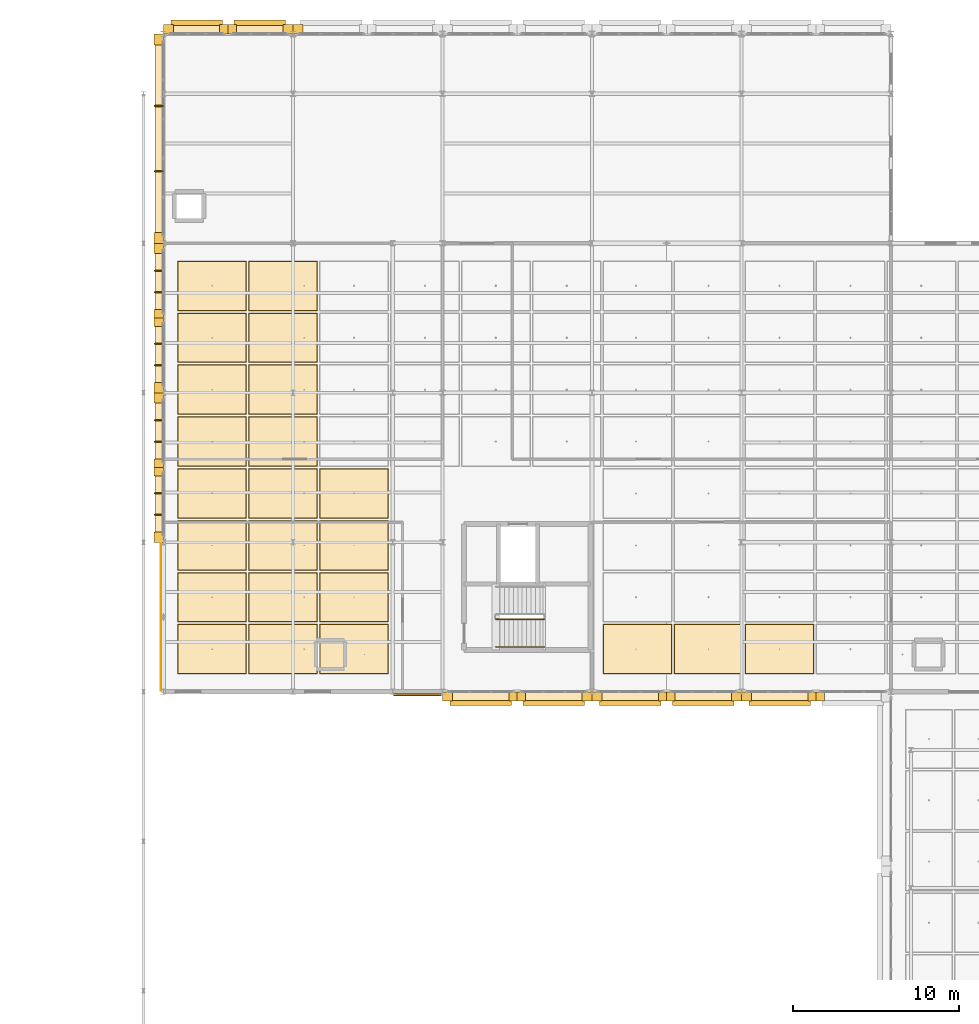
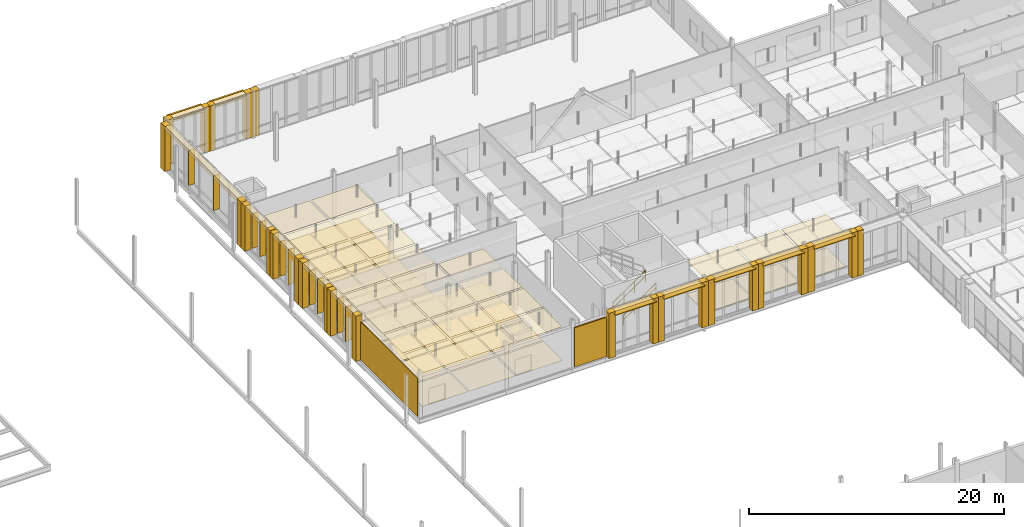
# One storey, part 123 of 130: 86 coverings, 17 shading devices, 2 railings.
"""IFC4 building model written with IfcOpenShell, lengths in metres."""

import ifcopenshell
import ifcopenshell.guid

model = None  # the IFC model being written
_history = None  # IfcOwnerHistory: only IFC2X3 demands one
_inside = {}  # id of a spatial element -> (the spatial element, [elements in it])
_under = {}  # id of a project, library or spatial element -> (it, [spatial elements below it])
_declared = {}  # id of a project -> (the project, [libraries it declares])
_typed = {}  # id of a type object -> (the type object, [elements of that type])
_made_of = {}  # id of a material, layer set ... -> (it, [elements and type objects made of it])


def new_model(schema):
    """Start an empty IFC model of exactly this schema.

    Asked for "IFC4X3", IfcOpenShell would pick the latest addendum, in which some entities
    have other attributes; the version numbers below select the first issue.
    IFC2X3 requires an IfcOwnerHistory on every rooted entity: one is made here for all.
    """
    global model, _history
    if schema == "IFC4X3":
        model = ifcopenshell.file(schema_version=(4, 3, 0, 0))
    else:
        model = ifcopenshell.file(schema=schema)
    _inside.clear()
    _under.clear()
    _declared.clear()
    _typed.clear()
    _made_of.clear()
    _history = None
    if model.schema == "IFC2X3":
        org = make("IfcOrganization", Name="unknown")
        user = make(
            "IfcPersonAndOrganization",
            ThePerson=make("IfcPerson", FamilyName="unknown"),
            TheOrganization=org,
        )
        app = make(
            "IfcApplication",
            ApplicationDeveloper=org,
            Version="unknown",
            ApplicationFullName="unknown",
            ApplicationIdentifier="unknown",
        )
        _history = make(
            "IfcOwnerHistory",
            OwningUser=user,
            OwningApplication=app,
            ChangeAction="ADDED",
            CreationDate=0,
        )
    return model


def make(cls, **values):
    """One entity of the class cls with the attributes given. An attribute that is None is left unset."""
    return model.create_entity(
        cls, **{name: value for name, value in values.items() if value is not None}
    )


def rooted(cls, **values):
    """An entity with a GlobalId (a new one), such as an element, a storey or a relation."""
    return make(cls, GlobalId=ifcopenshell.guid.new(), OwnerHistory=_history, **values)


def si_unit(unit_type, name, prefix=None):
    """IfcSIUnit, for example si_unit("LENGTHUNIT", "METRE", prefix="MILLI")."""
    return make("IfcSIUnit", UnitType=unit_type, Prefix=prefix, Name=name)


def assignment(units):
    """IfcUnitAssignment: the units of a project."""
    return None if units is None else make("IfcUnitAssignment", Units=units)


def point(xyz):
    """IfcCartesianPoint."""
    return None if xyz is None else make("IfcCartesianPoint", Coordinates=xyz)


def direction(xyz):
    """IfcDirection."""
    return None if xyz is None else make("IfcDirection", DirectionRatios=xyz)


def frame(location, z_axis=None, x_axis=None):
    """IfcAxis2Placement3D, a coordinate frame: its origin and axes. An axis left out is left unset."""
    return make(
        "IfcAxis2Placement3D",
        Location=point(location),
        Axis=direction(z_axis),
        RefDirection=direction(x_axis),
    )


def frame_2d(location, x_axis=None):
    """IfcAxis2Placement2D, a coordinate frame in the plane: its origin and x axis."""
    return make(
        "IfcAxis2Placement2D", Location=point(location), RefDirection=direction(x_axis)
    )


def origin():
    """The frame at (0, 0, 0) with its axes left unset."""
    return frame((0.0, 0.0, 0.0))


def origin_2d():
    """The frame at (0, 0) in the plane with its x axis left unset."""
    return frame_2d((0.0, 0.0))


def place(relative_to, where):
    """IfcLocalPlacement: puts the frame where relative to a parent placement (None: the world)."""
    return make(
        "IfcLocalPlacement", PlacementRelTo=relative_to, RelativePlacement=where
    )


def context(
    kind, dimensions, precision=None, world=None, true_north=None, identifier=None
):
    """IfcGeometricRepresentationContext, for example the 3D "Model" context."""
    return make(
        "IfcGeometricRepresentationContext",
        ContextIdentifier=identifier,
        ContextType=kind,
        CoordinateSpaceDimension=dimensions,
        Precision=precision,
        WorldCoordinateSystem=world,
        TrueNorth=true_north,
    )


def subcontext(parent, identifier, kind, view, scale=None):
    """IfcGeometricRepresentationSubContext, for example "Body" below "Model"."""
    return make(
        "IfcGeometricRepresentationSubContext",
        ContextIdentifier=identifier,
        ContextType=kind,
        ParentContext=parent,
        TargetScale=scale,
        TargetView=view,
    )


def project(units=None, contexts=None):
    """IfcProject with its units and contexts."""
    return rooted(
        "IfcProject",
        Name="project",
        RepresentationContexts=contexts,
        UnitsInContext=assignment(units),
    )


def spatial(cls, under=None, at=None, **own):
    """A site, building, storey or space (cls), placed at a placement, below another one or the project."""
    s = rooted(cls, ObjectPlacement=at, **own)
    if under is not None:
        _under.setdefault(under.id(), (under, []))[1].append(s)
    return s


def profile(cls, at=None, kind="AREA", **sizes):
    """A parametric profile (cls). Its sizes go by their IFC names, for example OverallWidth=200.0."""
    return make(cls, ProfileType=kind, Position=at, **sizes)


def rectangle(**sizes):
    """IfcRectangleProfileDef."""
    return profile("IfcRectangleProfileDef", **sizes)


def circle(**sizes):
    """IfcCircleProfileDef."""
    return profile("IfcCircleProfileDef", **sizes)


def extrude(swept, where, along, depth):
    """IfcExtrudedAreaSolid: the profile swept, set in the frame where, extruded along a direction by depth."""
    return make(
        "IfcExtrudedAreaSolid",
        SweptArea=swept,
        Position=where,
        ExtrudedDirection=direction(along),
        Depth=depth,
    )


def shape(context_of_items, identifier, shape_type, items):
    """IfcShapeRepresentation: the items that make up one representation, for example the "Body"."""
    return make(
        "IfcShapeRepresentation",
        ContextOfItems=context_of_items,
        RepresentationIdentifier=identifier,
        RepresentationType=shape_type,
        Items=items,
    )


def material(Name=None, Category=None):
    """IfcMaterial."""
    return make("IfcMaterial", Name=Name, Category=Category)


def layer(
    of_material, thickness, ventilated=None, Name=None, Category=None, Priority=None
):
    """IfcMaterialLayer: one layer of a wall or slab, of a material (None: an air gap)."""
    return make(
        "IfcMaterialLayer",
        Material=of_material,
        LayerThickness=thickness,
        IsVentilated=ventilated,
        Name=Name,
        Category=Category,
        Priority=Priority,
    )


def layer_set(layers, Name=None):
    """IfcMaterialLayerSet."""
    return make("IfcMaterialLayerSet", MaterialLayers=layers, LayerSetName=Name)


def made_of(thing, what):
    """Note that an element or type object is made of a material, layer set ...; save() writes the relation."""
    if what is not None:
        _made_of.setdefault(what.id(), (what, []))[1].append(thing)
    return thing


def type_object(cls, material=None, **own):
    """A type object (cls), such as IfcWallType, which elements share."""
    return made_of(rooted(cls, **own), material)


def element(
    cls,
    number,
    at=None,
    inside=None,
    cuts=None,
    type_object=None,
    material=None,
    context=None,
    identifier="Body",
    shape_type=None,
    held_by="IfcProductDefinitionShape",
    body=None,
    shapes=None,
    **own,
):
    """One element of the class cls, such as IfcWall. Its Tag is "e" and its number.

    at: its placement. inside: the storey or other place that contains it. cuts: it is an
    opening in that element (IfcRelVoidsElement). A single representation is given by context,
    identifier, shape_type and body (its items); several are given by shapes. held_by: the class
    of the entity that holds the representations. save() writes the other relations.
    """
    e = rooted(cls, Tag="e%d" % number, ObjectPlacement=at, **own)
    if body is not None:
        shapes = [shape(context, identifier, shape_type, body)]
    if shapes is not None:
        e.Representation = make(held_by, Representations=shapes)
    if inside is not None:
        _inside.setdefault(inside.id(), (inside, []))[1].append(e)
    if cuts is not None:
        rooted(
            "IfcRelVoidsElement", RelatingBuildingElement=cuts, RelatedOpeningElement=e
        )
    if type_object is not None:
        _typed.setdefault(type_object.id(), (type_object, []))[1].append(e)
    return made_of(e, material)


def aggregate(whole, parts):
    """IfcRelAggregates: a whole, such as a stair, and the parts it consists of."""
    return rooted("IfcRelAggregates", RelatingObject=whole, RelatedObjects=parts)


def save(model, path):
    """Write the relations noted so far, then the file.

    IfcRelAggregates (storeys below a building ...), IfcRelContainedInSpatialStructure (elements
    in a storey), IfcRelDefinesByType, IfcRelAssociatesMaterial and IfcRelDeclares: one each for
    every whole, place, type object, material and project.
    """
    for whole, parts in _under.values():
        aggregate(whole, parts)
    for where, things in _inside.values():
        rooted(
            "IfcRelContainedInSpatialStructure",
            RelatedElements=things,
            RelatingStructure=where,
        )
    for kind, things in _typed.values():
        rooted("IfcRelDefinesByType", RelatedObjects=things, RelatingType=kind)
    for what, things in _made_of.values():
        rooted("IfcRelAssociatesMaterial", RelatedObjects=things, RelatingMaterial=what)
    for by, libraries in _declared.values():
        rooted("IfcRelDeclares", RelatingContext=by, RelatedDefinitions=libraries)
    model.write(path)


model = new_model("IFC4")

# Units and contexts
model_context = context("Model", 3, precision=1e-05, world=origin(), true_north=direction((0.0, 1.0)))
body_context = subcontext(model_context, "Body", "Model", "MODEL_VIEW")
ifc_project = project(units=[si_unit("LENGTHUNIT", "METRE"), si_unit("AREAUNIT", "SQUARE_METRE"), si_unit("VOLUMEUNIT", "CUBIC_METRE"), si_unit("PLANEANGLEUNIT", "RADIAN"), si_unit("MASSUNIT", "GRAM", prefix="KILO"), si_unit("THERMODYNAMICTEMPERATUREUNIT", "KELVIN"), si_unit("POWERUNIT", "WATT")], contexts=[model_context])

# Site, building, storey
site_placement = place(None, origin())
site = spatial("IfcSite", under=ifc_project, at=site_placement, CompositionType="ELEMENT")
building_placement = place(site_placement, origin())
building = spatial("IfcBuilding", under=site, at=building_placement, Name="Tallowbark Science Centre", CompositionType="ELEMENT")
storey_placement = place(building_placement, frame((0.0, 0.0, 5.39990234375)))
storey = spatial("IfcBuildingStorey", under=building, at=storey_placement, Name="L01", CompositionType="ELEMENT", Elevation=5.39990234375)

# Coverings
ifc_material_1 = material(Name="Cleanable Vinyl-Faced Laboratory Ceiling Tile")
ifc_layer_1 = layer(ifc_material_1, 0.01611328125)
ifc_layer_set_1 = layer_set([ifc_layer_1], Name="Cleanable Vinyl-Faced Laboratory Ceiling Tile")
covering_type_1 = type_object("IfcCoveringType", Name="CLG-LAB-16", PredefinedType="CEILING", material=ifc_layer_set_1)
for number, where, z_axis, x_axis, name in (
    (1, (58.134521484375, 74.5625, 3.192138671875), (0.0, 0.0, 1.0), (1.0, 0.0, 0.0), "Suspended Ceiling L01-595"),
    (2, (58.134521484375, 77.6875, 3.192138671875), (0.0, 0.0, 1.0), (1.0, 0.0, 0.0), "Suspended Ceiling L01-596"),
    (3, (58.134521484375, 80.8125, 3.192138671875), (0.0, 0.0, 1.0), (1.0, 0.0, 0.0), "Suspended Ceiling L01-597"),
    (4, (58.134521484375, 83.9375, 3.192138671875), (0.0, 0.0, 1.0), (1.0, 0.0, 0.0), "Suspended Ceiling L01-598"),
    (5, (58.134521484375, 87.0625, 3.192138671875), (0.0, 0.0, 1.0), (1.0, 0.0, 0.0), "Suspended Ceiling L01-599"),
    (6, (58.134521484375, 90.1875, 3.192138671875), (0.0, 0.0, 1.0), (1.0, 0.0, 0.0), "Suspended Ceiling L01-600"),
    (7, (58.134521484375, 93.3125, 3.192138671875), (0.0, 0.0, 1.0), (1.0, 0.0, 0.0), "Suspended Ceiling L01-601"),
    (8, (58.134521484375, 96.4375, 3.192138671875), (0.0, 0.0, 1.0), (1.0, 0.0, 0.0), "Suspended Ceiling L01-602"),
    (9, (62.40380859375, 74.5625, 3.192138671875), (0.0, 0.0, 1.0), (1.0, 0.0, 0.0), "Suspended Ceiling L01-603"),
    (10, (62.40380859375, 77.6875, 3.192138671875), (0.0, 0.0, 1.0), (1.0, 0.0, 0.0), "Suspended Ceiling L01-604"),
    (11, (62.40380859375, 80.8125, 3.192138671875), (0.0, 0.0, 1.0), (1.0, 0.0, 0.0), "Suspended Ceiling L01-605"),
    (12, (62.40380859375, 83.9375, 3.192138671875), (0.0, 0.0, 1.0), (1.0, 0.0, 0.0), "Suspended Ceiling L01-606"),
    (13, (62.40380859375, 87.0625, 3.192138671875), (0.0, 0.0, 1.0), (1.0, 0.0, 0.0), "Suspended Ceiling L01-607"),
    (14, (62.40380859375, 90.1875, 3.192138671875), (0.0, 0.0, 1.0), (1.0, 0.0, 0.0), "Suspended Ceiling L01-608"),
    (15, (62.40380859375, 93.3125, 3.192138671875), (0.0, 0.0, 1.0), (1.0, 0.0, 0.0), "Suspended Ceiling L01-609"),
    (16, (62.40380859375, 96.4375, 3.192138671875), (0.0, 0.0, 1.0), (1.0, 0.0, 0.0), "Suspended Ceiling L01-610"),
    (17, (66.673095703125, 74.5625, 3.192138671875), (0.0, 0.0, 1.0), (1.0, 0.0, 0.0), "Suspended Ceiling L01-611"),
    (18, (66.673095703125, 77.6875, 3.192138671875), (0.0, 0.0, 1.0), (1.0, 0.0, 0.0), "Suspended Ceiling L01-612"),
    (19, (66.673095703125, 80.8125, 3.192138671875), (0.0, 0.0, 1.0), (1.0, 0.0, 0.0), "Suspended Ceiling L01-613"),
    (20, (66.673095703125, 83.9375, 3.192138671875), (0.0, 0.0, 1.0), (1.0, 0.0, 0.0), "Suspended Ceiling L01-614"),
    (21, (83.75, 74.5625, 3.192138671875), (0.0, 0.0, 1.0), (1.0, 0.0, 0.0), "Suspended Ceiling L01-631"),
    (22, (88.019287109375, 74.5625, 3.192138671875), (0.0, 0.0, 1.0), (1.0, 0.0, 0.0), "Suspended Ceiling L01-639"),
    (23, (92.28857421875, 74.5625, 3.192138671875), (0.0, 0.0, 1.0), (1.0, 0.0, 0.0), "Suspended Ceiling L01-647"),
):
    element("IfcCovering", number, at=place(storey_placement, frame(where, z_axis=z_axis, x_axis=x_axis)), inside=storey, type_object=covering_type_1, Name=name, PredefinedType="CEILING", context=body_context, shape_type="SweptSolid", body=[
        extrude(rectangle(XDim=4.089111328125, YDim=2.945068359375, at=origin_2d()), origin(), (0.0, 0.0, 1.0), 0.01611328125),
    ])
ifc_material_2 = material(Name="White Architectural Precast Concrete Grade N40 (40 MPa)", Category="concrete")
ifc_layer_2 = layer(ifc_material_2, 0.1201171875)
ifc_layer_set_2 = layer_set([ifc_layer_2], Name="White Architectural Precast Concrete Grade N40 (40 MPa)")
covering_type_2 = type_object("IfcCoveringType", Name="COV-PRC-CLAD", PredefinedType="CLADDING", material=ifc_layer_set_2)
covering_1_placement = place(storey_placement, frame((70.5, 71.81494140625, 0.050048828125), z_axis=(0.0, 0.0, 1.0), x_axis=(1.0, 0.0, 0.0)))
element("IfcCovering", 24, at=covering_1_placement, inside=storey, type_object=covering_type_2, Name="Architectural Rainscreen LAB-S-L01-69", PredefinedType="CLADDING", context=body_context, shape_type="SweptSolid", body=[
    extrude(rectangle(XDim=2.8798828125, YDim=0.1201171875, at=origin_2d()), origin(), (0.0, 0.0, 1.0), 3.74609375),
])
covering_2_placement = place(storey_placement, frame((72.304931640625, 71.719970703125, 0.0), z_axis=(0.0, 0.0, 1.0), x_axis=(1.0, 0.0, 0.0)))
element("IfcCovering", 25, at=covering_2_placement, inside=storey, type_object=covering_type_2, Name="Postmodern Deep Precast Pier CW-L01-039-1", PredefinedType="CLADDING", context=body_context, shape_type="SweptSolid", body=[
    extrude(rectangle(XDim=0.610107421875, YDim=0.56005859375, at=origin_2d()), origin(), (0.0, 0.0, 1.0), 4.320068359375),
])
for number, where, z_axis, x_axis, name in (
    (26, (76.2451171875, 71.719970703125, 0.0), (0.0, 0.0, 1.0), (1.0, 0.0, 0.0), "Postmodern Deep Precast Pier CW-L01-039-2"),
    (27, (76.7548828125, 71.719970703125, 0.0), (0.0, 0.0, 1.0), (1.0, 0.0, 0.0), "Postmodern Deep Precast Pier CW-L01-040-1"),
):
    element("IfcCovering", number, at=place(storey_placement, frame(where, z_axis=z_axis, x_axis=x_axis)), inside=storey, type_object=covering_type_2, Name=name, PredefinedType="CLADDING", context=body_context, shape_type="SweptSolid", body=[
        extrude(rectangle(XDim=0.510009765625, YDim=0.56005859375, at=origin_2d()), origin(), (0.0, 0.0, 1.0), 4.320068359375),
    ])
for number, where, z_axis, x_axis, name in (
    (28, (80.695068359375, 71.719970703125, 0.0), (0.0, 0.0, 1.0), (1.0, 0.0, 0.0), "Postmodern Deep Precast Pier CW-L01-040-2"),
    (29, (81.304931640625, 71.719970703125, 0.0), (0.0, 0.0, 1.0), (1.0, 0.0, 0.0), "Postmodern Deep Precast Pier CW-L01-041-1"),
):
    element("IfcCovering", number, at=place(storey_placement, frame(where, z_axis=z_axis, x_axis=x_axis)), inside=storey, type_object=covering_type_2, Name=name, PredefinedType="CLADDING", context=body_context, shape_type="SweptSolid", body=[
        extrude(rectangle(XDim=0.610107421875, YDim=0.56005859375, at=origin_2d()), origin(), (0.0, 0.0, 1.0), 4.320068359375),
    ])
for number, where, z_axis, x_axis, name in (
    (30, (85.2451171875, 71.719970703125, 0.0), (0.0, 0.0, 1.0), (1.0, 0.0, 0.0), "Postmodern Deep Precast Pier CW-L01-041-2"),
    (31, (85.7548828125, 71.719970703125, 0.0), (0.0, 0.0, 1.0), (1.0, 0.0, 0.0), "Postmodern Deep Precast Pier CW-L01-042-1"),
):
    element("IfcCovering", number, at=place(storey_placement, frame(where, z_axis=z_axis, x_axis=x_axis)), inside=storey, type_object=covering_type_2, Name=name, PredefinedType="CLADDING", context=body_context, shape_type="SweptSolid", body=[
        extrude(rectangle(XDim=0.510009765625, YDim=0.56005859375, at=origin_2d()), origin(), (0.0, 0.0, 1.0), 4.320068359375),
    ])
for number, where, z_axis, x_axis, name in (
    (32, (89.695068359375, 71.719970703125, 0.0), (0.0, 0.0, 1.0), (1.0, 0.0, 0.0), "Postmodern Deep Precast Pier CW-L01-042-2"),
    (33, (90.304931640625, 71.719970703125, 0.0), (0.0, 0.0, 1.0), (1.0, 0.0, 0.0), "Postmodern Deep Precast Pier CW-L01-043-1"),
):
    element("IfcCovering", number, at=place(storey_placement, frame(where, z_axis=z_axis, x_axis=x_axis)), inside=storey, type_object=covering_type_2, Name=name, PredefinedType="CLADDING", context=body_context, shape_type="SweptSolid", body=[
        extrude(rectangle(XDim=0.610107421875, YDim=0.56005859375, at=origin_2d()), origin(), (0.0, 0.0, 1.0), 4.320068359375),
    ])
for number, where, z_axis, x_axis, name in (
    (34, (94.2451171875, 71.719970703125, 0.0), (0.0, 0.0, 1.0), (1.0, 0.0, 0.0), "Postmodern Deep Precast Pier CW-L01-043-2"),
    (35, (94.7548828125, 71.719970703125, 0.0), (0.0, 0.0, 1.0), (1.0, 0.0, 0.0), "Postmodern Deep Precast Pier CW-L01-044-1"),
):
    element("IfcCovering", number, at=place(storey_placement, frame(where, z_axis=z_axis, x_axis=x_axis)), inside=storey, type_object=covering_type_2, Name=name, PredefinedType="CLADDING", context=body_context, shape_type="SweptSolid", body=[
        extrude(rectangle(XDim=0.510009765625, YDim=0.56005859375, at=origin_2d()), origin(), (0.0, 0.0, 1.0), 4.320068359375),
    ])
covering_3_placement = place(storey_placement, frame((54.919921875, 89.695068359375, 0.0), z_axis=(0.0, 0.0, 1.0), x_axis=(0.0, -1.0, 0.0)))
element("IfcCovering", 36, at=covering_3_placement, inside=storey, type_object=covering_type_2, Name="Postmodern Deep Precast Pier CW-L01-045-1", PredefinedType="CLADDING", context=body_context, shape_type="SweptSolid", body=[
    extrude(rectangle(XDim=0.610107421875, YDim=0.56005859375, at=origin_2d()), origin(), (0.0, 0.0, 1.0), 4.320068359375),
])
for number, where, z_axis, x_axis, name in (
    (37, (54.919921875, 85.7548828125, 0.0), (0.0, 0.0, 1.0), (0.0, -1.0, 0.0), "Postmodern Deep Precast Pier CW-L01-045-2"),
    (38, (54.919921875, 85.2451171875, 0.0), (0.0, 0.0, 1.0), (0.0, -1.0, 0.0), "Postmodern Deep Precast Pier CW-L01-046-1"),
):
    element("IfcCovering", number, at=place(storey_placement, frame(where, z_axis=z_axis, x_axis=x_axis)), inside=storey, type_object=covering_type_2, Name=name, PredefinedType="CLADDING", context=body_context, shape_type="SweptSolid", body=[
        extrude(rectangle(XDim=0.510009765625, YDim=0.56005859375, at=origin_2d()), origin(), (0.0, 0.0, 1.0), 4.320068359375),
    ])
for number, where, z_axis, x_axis, name in (
    (39, (54.919921875, 81.304931640625, 0.0), (0.0, 0.0, 1.0), (0.0, -1.0, 0.0), "Postmodern Deep Precast Pier CW-L01-046-2"),
    (40, (54.919921875, 98.695068359375, 0.0), (0.0, 0.0, 1.0), (0.0, -1.0, 0.0), "Postmodern Deep Precast Pier CW-L01-047-1"),
):
    element("IfcCovering", number, at=place(storey_placement, frame(where, z_axis=z_axis, x_axis=x_axis)), inside=storey, type_object=covering_type_2, Name=name, PredefinedType="CLADDING", context=body_context, shape_type="SweptSolid", body=[
        extrude(rectangle(XDim=0.610107421875, YDim=0.56005859375, at=origin_2d()), origin(), (0.0, 0.0, 1.0), 4.320068359375),
    ])
for number, where, z_axis, x_axis, name in (
    (41, (54.919921875, 94.7548828125, 0.0), (0.0, 0.0, 1.0), (0.0, -1.0, 0.0), "Postmodern Deep Precast Pier CW-L01-047-2"),
    (42, (54.919921875, 94.2451171875, 0.0), (0.0, 0.0, 1.0), (0.0, -1.0, 0.0), "Postmodern Deep Precast Pier CW-L01-048-1"),
):
    element("IfcCovering", number, at=place(storey_placement, frame(where, z_axis=z_axis, x_axis=x_axis)), inside=storey, type_object=covering_type_2, Name=name, PredefinedType="CLADDING", context=body_context, shape_type="SweptSolid", body=[
        extrude(rectangle(XDim=0.510009765625, YDim=0.56005859375, at=origin_2d()), origin(), (0.0, 0.0, 1.0), 4.320068359375),
    ])
for number, where, z_axis, x_axis, name in (
    (43, (54.919921875, 90.304931640625, 0.0), (0.0, 0.0, 1.0), (0.0, -1.0, 0.0), "Postmodern Deep Precast Pier CW-L01-048-2"),
    (44, (62.695068359375, 111.8798828125, 0.0), (0.0, 0.0, 1.0), (-1.0, 0.0, 0.0), "Postmodern Deep Precast Pier CW-L01-049-1"),
):
    element("IfcCovering", number, at=place(storey_placement, frame(where, z_axis=z_axis, x_axis=x_axis)), inside=storey, type_object=covering_type_2, Name=name, PredefinedType="CLADDING", context=body_context, shape_type="SweptSolid", body=[
        extrude(rectangle(XDim=0.610107421875, YDim=0.56005859375, at=origin_2d()), origin(), (0.0, 0.0, 1.0), 4.320068359375),
    ])
for number, where, z_axis, x_axis, name in (
    (45, (59.35498046875, 111.8798828125, 0.0), (0.0, 0.0, 1.0), (-1.0, 0.0, 0.0), "Postmodern Deep Precast Pier CW-L01-049-2"),
    (46, (58.844970703125, 111.8798828125, 0.0), (0.0, 0.0, 1.0), (-1.0, 0.0, 0.0), "Postmodern Deep Precast Pier CW-L01-050-1"),
):
    element("IfcCovering", number, at=place(storey_placement, frame(where, z_axis=z_axis, x_axis=x_axis)), inside=storey, type_object=covering_type_2, Name=name, PredefinedType="CLADDING", context=body_context, shape_type="SweptSolid", body=[
        extrude(rectangle(XDim=0.510009765625, YDim=0.56005859375, at=origin_2d()), origin(), (0.0, 0.0, 1.0), 4.320068359375),
    ])
for number, where, z_axis, x_axis, name in (
    (47, (55.5048828125, 111.8798828125, 0.0), (0.0, 0.0, 1.0), (-1.0, 0.0, 0.0), "Postmodern Deep Precast Pier CW-L01-050-2"),
    (48, (63.304931640625, 111.8798828125, 0.0), (0.0, 0.0, 1.0), (-1.0, 0.0, 0.0), "Postmodern Deep Precast Pier CW-L01-052-2"),
):
    element("IfcCovering", number, at=place(storey_placement, frame(where, z_axis=z_axis, x_axis=x_axis)), inside=storey, type_object=covering_type_2, Name=name, PredefinedType="CLADDING", context=body_context, shape_type="SweptSolid", body=[
        extrude(rectangle(XDim=0.610107421875, YDim=0.56005859375, at=origin_2d()), origin(), (0.0, 0.0, 1.0), 4.320068359375),
    ])
for number, where, z_axis, x_axis, name in (
    (49, (54.919921875, 111.27001953125, 0.0), (0.0, 0.0, 1.0), (0.0, -1.0, 0.0), "Postmodern Deep Precast Pier CW-L01-059-1"),
    (50, (54.919921875, 99.330078125, 0.0), (0.0, 0.0, 1.0), (0.0, -1.0, 0.0), "Postmodern Deep Precast Pier CW-L01-059-2"),
):
    element("IfcCovering", number, at=place(storey_placement, frame(where, z_axis=z_axis, x_axis=x_axis)), inside=storey, type_object=covering_type_2, Name=name, PredefinedType="CLADDING", context=body_context, shape_type="SweptSolid", body=[
        extrude(rectangle(XDim=0.659912109375, YDim=0.56005859375, at=origin_2d()), origin(), (0.0, 0.0, 1.0), 4.320068359375),
    ])
ifc_material_3 = material(Name="Vitrified Ochre Terracotta Architectural Rainscreen", Category="masonry")
ifc_layer_3 = layer(ifc_material_3, 0.0380859375)
ifc_layer_set_3 = layer_set([ifc_layer_3], Name="Vitrified Ochre Terracotta Architectural Rainscreen")
covering_type_3 = type_object("IfcCoveringType", Name="COV-TER-CLAD", PredefinedType="CLADDING", material=ifc_layer_set_3)
for number, where, z_axis, x_axis, name in (
    (51, (74.300048828125, 71.739990234375, 3.97021484375), (0.0, 0.0, 1.0), (1.0, 0.0, 0.0), "Postmodern Terracotta Cornice Band CW-L01-039"),
    (52, (78.699951171875, 71.739990234375, 3.97021484375), (0.0, 0.0, 1.0), (1.0, 0.0, 0.0), "Postmodern Terracotta Cornice Band CW-L01-040"),
    (53, (83.300048828125, 71.739990234375, 3.97021484375), (0.0, 0.0, 1.0), (1.0, 0.0, 0.0), "Postmodern Terracotta Cornice Band CW-L01-041"),
    (54, (87.699951171875, 71.739990234375, 3.97021484375), (0.0, 0.0, 1.0), (1.0, 0.0, 0.0), "Postmodern Terracotta Cornice Band CW-L01-042"),
    (55, (92.300048828125, 71.739990234375, 3.97021484375), (0.0, 0.0, 1.0), (1.0, 0.0, 0.0), "Postmodern Terracotta Cornice Band CW-L01-043"),
):
    element("IfcCovering", number, at=place(storey_placement, frame(where, z_axis=z_axis, x_axis=x_axis)), inside=storey, type_object=covering_type_3, Name=name, PredefinedType="CLADDING", context=body_context, shape_type="SweptSolid", body=[
        extrude(rectangle(XDim=4.300048828125, YDim=0.52001953125, at=origin_2d()), origin(), (0.0, 0.0, 1.0), 0.340087890625),
    ])
covering_4_placement = place(storey_placement, frame((55.055908203125, 76.5, 0.050048828125), z_axis=(0.0, 0.0, 1.0), x_axis=(0.0, -1.0, 0.0)))
element("IfcCovering", 56, at=covering_4_placement, inside=storey, type_object=covering_type_3, Name="Architectural Rainscreen LAB-W-L01-72", PredefinedType="CLADDING", context=body_context, shape_type="SweptSolid", body=[
    extrude(rectangle(XDim=8.8798828125, YDim=0.0380859375, at=origin_2d()), origin(), (0.0, 0.0, 1.0), 3.671875),
])
for number, where, z_axis, x_axis, name in (
    (57, (54.93994140625, 87.699951171875, 3.97021484375), (0.0, 0.0, 1.0), (0.0, -1.0, 0.0), "Postmodern Terracotta Cornice Band CW-L01-045"),
    (58, (54.93994140625, 83.300048828125, 3.97021484375), (0.0, 0.0, 1.0), (0.0, -1.0, 0.0), "Postmodern Terracotta Cornice Band CW-L01-046"),
    (59, (54.93994140625, 96.699951171875, 3.97021484375), (0.0, 0.0, 1.0), (0.0, -1.0, 0.0), "Postmodern Terracotta Cornice Band CW-L01-047"),
    (60, (54.93994140625, 92.300048828125, 3.97021484375), (0.0, 0.0, 1.0), (0.0, -1.0, 0.0), "Postmodern Terracotta Cornice Band CW-L01-048"),
):
    element("IfcCovering", number, at=place(storey_placement, frame(where, z_axis=z_axis, x_axis=x_axis)), inside=storey, type_object=covering_type_3, Name=name, PredefinedType="CLADDING", context=body_context, shape_type="SweptSolid", body=[
        extrude(rectangle(XDim=4.300048828125, YDim=0.52001953125, at=origin_2d()), origin(), (0.0, 0.0, 1.0), 0.340087890625),
    ])
for number, where, z_axis, x_axis, name in (
    (61, (61.0, 111.860107421875, 3.97021484375), (0.0, 0.0, 1.0), (-1.0, 0.0, 0.0), "Postmodern Terracotta Cornice Band CW-L01-049"),
    (62, (57.199951171875, 111.860107421875, 3.97021484375), (0.0, 0.0, 1.0), (-1.0, 0.0, 0.0), "Postmodern Terracotta Cornice Band CW-L01-050"),
):
    element("IfcCovering", number, at=place(storey_placement, frame(where, z_axis=z_axis, x_axis=x_axis)), inside=storey, type_object=covering_type_3, Name=name, PredefinedType="CLADDING", context=body_context, shape_type="SweptSolid", body=[
        extrude(rectangle(XDim=3.699951171875, YDim=0.52001953125, at=origin_2d()), origin(), (0.0, 0.0, 1.0), 0.340087890625),
    ])
covering_5_placement = place(storey_placement, frame((54.93994140625, 105.300048828125, 3.97021484375), z_axis=(0.0, 0.0, 1.0), x_axis=(0.0, -1.0, 0.0)))
element("IfcCovering", 63, at=covering_5_placement, inside=storey, type_object=covering_type_3, Name="Postmodern Terracotta Cornice Band CW-L01-059", PredefinedType="CLADDING", context=body_context, shape_type="SweptSolid", body=[
    extrude(rectangle(XDim=12.199951171875, YDim=0.52001953125, at=origin_2d()), origin(), (0.0, 0.0, 1.0), 0.340087890625),
])
ifc_material_4 = material(Name="Chemical-Resistant Seamless Laboratory Vinyl")
ifc_layer_4 = layer(ifc_material_4, 0.011962890625)
ifc_layer_set_4 = layer_set([ifc_layer_4], Name="Chemical-Resistant Seamless Laboratory Vinyl")
covering_type_4 = type_object("IfcCoveringType", Name="FLR-VIN-12", PredefinedType="FLOORING", material=ifc_layer_set_4)
for number, where, z_axis, x_axis, name in (
    (64, (58.134521484375, 74.5625, 0.0), (0.0, 0.0, 1.0), (1.0, 0.0, 0.0), "Floor Finish L01-595"),
    (65, (58.134521484375, 77.6875, 0.0), (0.0, 0.0, 1.0), (1.0, 0.0, 0.0), "Floor Finish L01-596"),
    (66, (58.134521484375, 80.8125, 0.0), (0.0, 0.0, 1.0), (1.0, 0.0, 0.0), "Floor Finish L01-597"),
    (67, (58.134521484375, 83.9375, 0.0), (0.0, 0.0, 1.0), (1.0, 0.0, 0.0), "Floor Finish L01-598"),
    (68, (58.134521484375, 87.0625, 0.0), (0.0, 0.0, 1.0), (1.0, 0.0, 0.0), "Floor Finish L01-599"),
    (69, (58.134521484375, 90.1875, 0.0), (0.0, 0.0, 1.0), (1.0, 0.0, 0.0), "Floor Finish L01-600"),
    (70, (58.134521484375, 93.3125, 0.0), (0.0, 0.0, 1.0), (1.0, 0.0, 0.0), "Floor Finish L01-601"),
    (71, (58.134521484375, 96.4375, 0.0), (0.0, 0.0, 1.0), (1.0, 0.0, 0.0), "Floor Finish L01-602"),
    (72, (62.40380859375, 74.5625, 0.0), (0.0, 0.0, 1.0), (1.0, 0.0, 0.0), "Floor Finish L01-603"),
    (73, (62.40380859375, 77.6875, 0.0), (0.0, 0.0, 1.0), (1.0, 0.0, 0.0), "Floor Finish L01-604"),
    (74, (62.40380859375, 80.8125, 0.0), (0.0, 0.0, 1.0), (1.0, 0.0, 0.0), "Floor Finish L01-605"),
    (75, (62.40380859375, 83.9375, 0.0), (0.0, 0.0, 1.0), (1.0, 0.0, 0.0), "Floor Finish L01-606"),
    (76, (62.40380859375, 87.0625, 0.0), (0.0, 0.0, 1.0), (1.0, 0.0, 0.0), "Floor Finish L01-607"),
    (77, (62.40380859375, 90.1875, 0.0), (0.0, 0.0, 1.0), (1.0, 0.0, 0.0), "Floor Finish L01-608"),
    (78, (62.40380859375, 93.3125, 0.0), (0.0, 0.0, 1.0), (1.0, 0.0, 0.0), "Floor Finish L01-609"),
    (79, (62.40380859375, 96.4375, 0.0), (0.0, 0.0, 1.0), (1.0, 0.0, 0.0), "Floor Finish L01-610"),
    (80, (66.673095703125, 74.5625, 0.0), (0.0, 0.0, 1.0), (1.0, 0.0, 0.0), "Floor Finish L01-611"),
    (81, (66.673095703125, 77.6875, 0.0), (0.0, 0.0, 1.0), (1.0, 0.0, 0.0), "Floor Finish L01-612"),
    (82, (66.673095703125, 80.8125, 0.0), (0.0, 0.0, 1.0), (1.0, 0.0, 0.0), "Floor Finish L01-613"),
    (83, (66.673095703125, 83.9375, 0.0), (0.0, 0.0, 1.0), (1.0, 0.0, 0.0), "Floor Finish L01-614"),
    (84, (83.75, 74.5625, 0.0), (0.0, 0.0, 1.0), (1.0, 0.0, 0.0), "Floor Finish L01-631"),
    (85, (88.019287109375, 74.5625, 0.0), (0.0, 0.0, 1.0), (1.0, 0.0, 0.0), "Floor Finish L01-639"),
    (86, (92.28857421875, 74.5625, 0.0), (0.0, 0.0, 1.0), (1.0, 0.0, 0.0), "Floor Finish L01-647"),
):
    element("IfcCovering", number, at=place(storey_placement, frame(where, z_axis=z_axis, x_axis=x_axis)), inside=storey, type_object=covering_type_4, Name=name, PredefinedType="FLOORING", context=body_context, shape_type="SweptSolid", body=[
        extrude(rectangle(XDim=4.149169921875, YDim=3.0048828125, at=origin_2d()), origin(), (0.0, 0.0, 1.0), 0.011962890625),
    ])

# Railings
ifc_material_5 = material(Name="Galvanised Painted Steel and Laminated Glass Balustrade", Category="steel")
ifc_layer_5 = layer(ifc_material_5, 0.070068359375)
ifc_layer_set_5 = layer_set([ifc_layer_5], Name="Galvanised Painted Steel and Laminated Glass Balustrade")
railing_type_1 = type_object("IfcRailingType", Name="RLG-BAL-1150", PredefinedType="BALUSTRADE", material=ifc_layer_set_5)
railing_1_placement = place(storey_placement, frame((75.2099609375, 76.360107421875, 0.1875)))
element("IfcRailing", 87, at=railing_1_placement, inside=storey, type_object=railing_type_1, Name="L01 ST-01 stair guard 1", PredefinedType="BALUSTRADE", context=body_context, shape_type="SweptSolid", body=[
    extrude(circle(Radius=0.02392578125, at=origin_2d()), frame((0.0, 0.0, 1.076171875), z_axis=(0.816330724661, 0.0, 0.577584753931), x_axis=(0.0, 1.0, 0.0)), (0.0, 0.0, 1.0), 3.57080078125),
    extrude(circle(Radius=0.02392578125, at=origin_2d()), frame((0.0, 0.0, 0.550048828125), z_axis=(0.816330724661, 0.0, 0.577584753931), x_axis=(0.0, 1.0, 0.0)), (0.0, 0.0, 1.0), 3.57080078125),
    extrude(circle(Radius=0.02099609375, at=origin_2d()), origin(), (0.0, 0.0, 1.0), 1.052001953125),
    extrude(circle(Radius=0.02099609375, at=origin_2d()), frame((0.9716796875, 0.0, 0.6875)), (0.0, 0.0, 1.0), 1.052001953125),
    extrude(circle(Radius=0.02099609375, at=origin_2d()), frame((1.943359375, 0.0, 1.375)), (0.0, 0.0, 1.0), 1.052001953125),
    extrude(circle(Radius=0.02099609375, at=origin_2d()), frame((2.9150390625, 0.0, 2.0625)), (0.0, 0.0, 1.0), 1.052001953125),
])
ifc_material_6 = material(Name="Brushed Grade 316 Stainless Steel Handrail", Category="steel")
ifc_layer_6 = layer(ifc_material_6, 0.050048828125)
ifc_layer_set_6 = layer_set([ifc_layer_6], Name="Brushed Grade 316 Stainless Steel Handrail")
railing_type_2 = type_object("IfcRailingType", Name="RLG-HDR-950", PredefinedType="HANDRAIL", material=ifc_layer_set_6)
railing_2_placement = place(storey_placement, frame((75.2099609375, 74.699951171875, 0.1875)))
element("IfcRailing", 88, at=railing_2_placement, inside=storey, type_object=railing_type_2, Name="L01 ST-01 stair handrail 1", PredefinedType="HANDRAIL", context=body_context, shape_type="SweptSolid", body=[
    extrude(circle(Radius=0.02392578125, at=origin_2d()), frame((0.0, 0.0, 0.8759765625), z_axis=(0.816330724661, 0.0, 0.577584753931), x_axis=(0.0, 1.0, 0.0)), (0.0, 0.0, 1.0), 3.57080078125),
    extrude(circle(Radius=0.02392578125, at=origin_2d()), frame((0.0, 0.0, 0.449951171875), z_axis=(0.816330724661, 0.0, 0.577584753931), x_axis=(0.0, 1.0, 0.0)), (0.0, 0.0, 1.0), 3.57080078125),
    extrude(circle(Radius=0.02099609375, at=origin_2d()), origin(), (0.0, 0.0, 1.0), 0.851806640625),
    extrude(circle(Radius=0.02099609375, at=origin_2d()), frame((0.9716796875, 0.0, 0.6875)), (0.0, 0.0, 1.0), 0.851806640625),
    extrude(circle(Radius=0.02099609375, at=origin_2d()), frame((1.943359375, 0.0, 1.375)), (0.0, 0.0, 1.0), 0.851806640625),
    extrude(circle(Radius=0.02099609375, at=origin_2d()), frame((2.9150390625, 0.0, 2.0625)), (0.0, 0.0, 1.0), 0.851806640625),
])

# Shading devices
ifc_material_7 = material(Name="Sandstone-Finished Architectural Aluminium Solar Fin", Category="masonry")
shading_device_type_1 = type_object("IfcShadingDeviceType", Name="SHD-FIN-400", PredefinedType="JALOUSIE", material=ifc_material_7)
for number, where, z_axis, x_axis, name in (
    (89, (54.919921875, 88.35009765625, 0.92529296875), (0.0, 0.0, 1.0), (0.0, -1.0, 0.0), "Vertical Solar Fin CW-L01-045-1"),
    (90, (54.919921875, 87.050048828125, 0.92529296875), (0.0, 0.0, 1.0), (0.0, -1.0, 0.0), "Vertical Solar Fin CW-L01-045-2"),
    (91, (54.919921875, 83.949951171875, 0.92529296875), (0.0, 0.0, 1.0), (0.0, -1.0, 0.0), "Vertical Solar Fin CW-L01-046-1"),
    (92, (54.919921875, 82.64990234375, 0.92529296875), (0.0, 0.0, 1.0), (0.0, -1.0, 0.0), "Vertical Solar Fin CW-L01-046-2"),
    (93, (54.919921875, 97.35009765625, 0.92529296875), (0.0, 0.0, 1.0), (0.0, -1.0, 0.0), "Vertical Solar Fin CW-L01-047-1"),
    (94, (54.919921875, 96.050048828125, 0.92529296875), (0.0, 0.0, 1.0), (0.0, -1.0, 0.0), "Vertical Solar Fin CW-L01-047-2"),
    (95, (54.919921875, 92.949951171875, 0.92529296875), (0.0, 0.0, 1.0), (0.0, -1.0, 0.0), "Vertical Solar Fin CW-L01-048-1"),
    (96, (54.919921875, 91.64990234375, 0.92529296875), (0.0, 0.0, 1.0), (0.0, -1.0, 0.0), "Vertical Solar Fin CW-L01-048-2"),
    (97, (54.919921875, 107.2666015625, 0.92529296875), (0.0, 0.0, 1.0), (0.0, -1.0, 0.0), "Vertical Solar Fin CW-L01-059-1"),
    (98, (54.919921875, 103.333251953125, 0.92529296875), (0.0, 0.0, 1.0), (0.0, -1.0, 0.0), "Vertical Solar Fin CW-L01-059-2"),
):
    element("IfcShadingDevice", number, at=place(storey_placement, frame(where, z_axis=z_axis, x_axis=x_axis)), inside=storey, type_object=shading_device_type_1, Name=name, PredefinedType="JALOUSIE", context=body_context, shape_type="SweptSolid", body=[
        extrude(rectangle(XDim=0.074951171875, YDim=0.550048828125, at=origin_2d()), origin(), (0.0, 0.0, 1.0), 3.320068359375),
    ])
ifc_material_8 = material(Name="Terracotta-Anodised Extruded Aluminium Sunshade Blade", Category="masonry")
ifc_layer_7 = layer(ifc_material_8, 0.054931640625)
ifc_layer_set_7 = layer_set([ifc_layer_7], Name="Terracotta-Anodised Extruded Aluminium Sunshade Blade")
shading_device_type_2 = type_object("IfcShadingDeviceType", Name="SHD-LVR-300", PredefinedType="AWNING", material=ifc_layer_set_7)
for number, where, z_axis, x_axis, name in (
    (99, (74.300048828125, 71.580078125, 4.1328125), (0.0, 0.0, 1.0), (1.0, 0.0, 0.0), "Horizontal Solar Louvre Hood CW-L01-039"),
    (100, (78.699951171875, 71.580078125, 4.1328125), (0.0, 0.0, 1.0), (1.0, 0.0, 0.0), "Horizontal Solar Louvre Hood CW-L01-040"),
    (101, (83.300048828125, 71.580078125, 4.1328125), (0.0, 0.0, 1.0), (1.0, 0.0, 0.0), "Horizontal Solar Louvre Hood CW-L01-041"),
    (102, (87.699951171875, 71.580078125, 4.1328125), (0.0, 0.0, 1.0), (1.0, 0.0, 0.0), "Horizontal Solar Louvre Hood CW-L01-042"),
    (103, (92.300048828125, 71.580078125, 4.1328125), (0.0, 0.0, 1.0), (1.0, 0.0, 0.0), "Horizontal Solar Louvre Hood CW-L01-043"),
):
    element("IfcShadingDevice", number, at=place(storey_placement, frame(where, z_axis=z_axis, x_axis=x_axis)), inside=storey, type_object=shading_device_type_2, Name=name, PredefinedType="AWNING", context=body_context, shape_type="SweptSolid", body=[
        extrude(rectangle(XDim=3.699951171875, YDim=0.840087890625, at=origin_2d()), origin(), (0.0, 0.0, 1.0), 0.054931640625),
    ])
for number, where, z_axis, x_axis, name in (
    (104, (61.0, 112.02001953125, 4.1328125), (0.0, 0.0, 1.0), (-1.0, 0.0, 0.0), "Horizontal Solar Louvre Hood CW-L01-049"),
    (105, (57.199951171875, 112.02001953125, 4.1328125), (0.0, 0.0, 1.0), (-1.0, 0.0, 0.0), "Horizontal Solar Louvre Hood CW-L01-050"),
):
    element("IfcShadingDevice", number, at=place(storey_placement, frame(where, z_axis=z_axis, x_axis=x_axis)), inside=storey, type_object=shading_device_type_2, Name=name, PredefinedType="AWNING", context=body_context, shape_type="SweptSolid", body=[
        extrude(rectangle(XDim=3.10009765625, YDim=0.840087890625, at=origin_2d()), origin(), (0.0, 0.0, 1.0), 0.054931640625),
    ])

save(model, "model.ifc")
